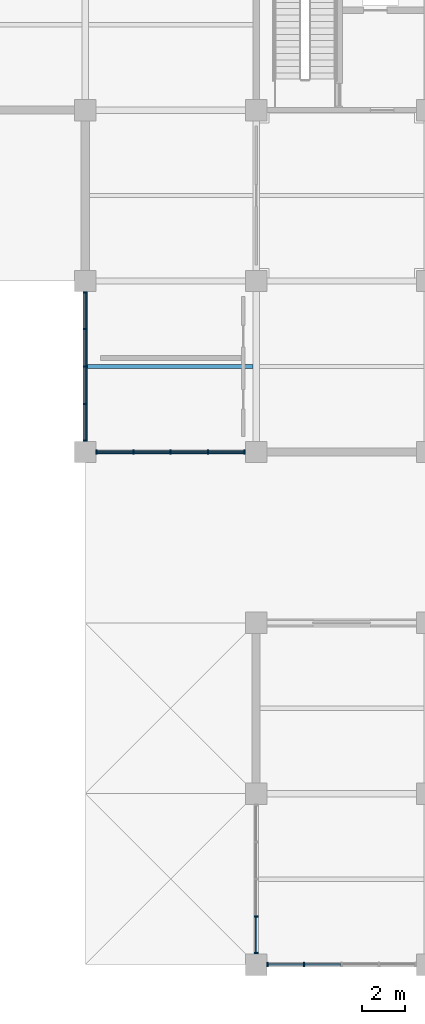
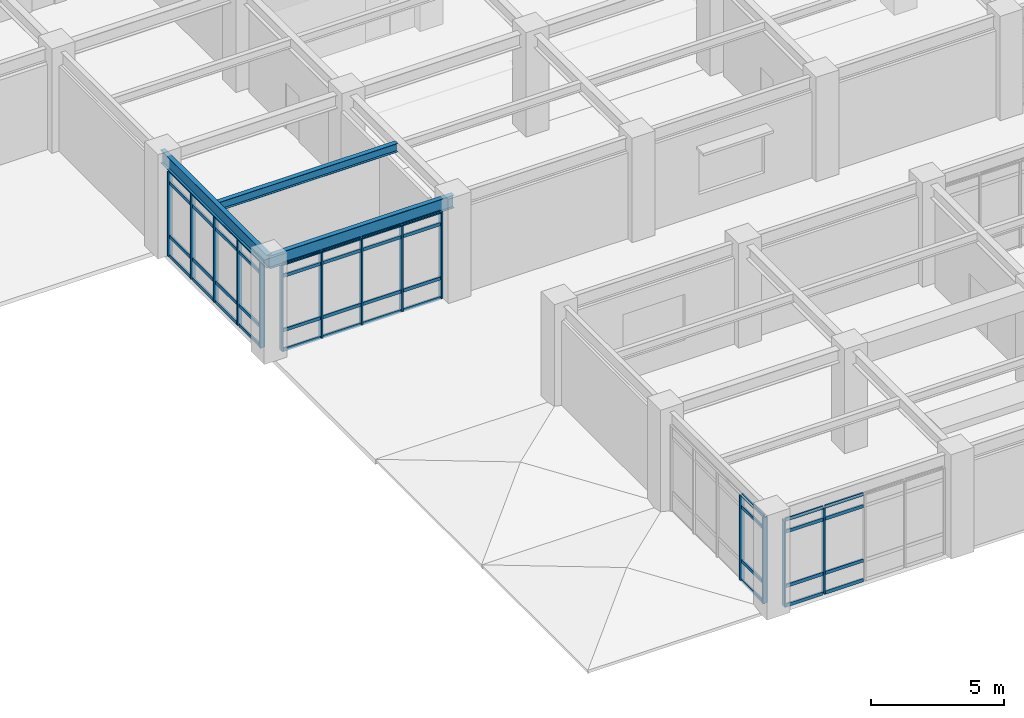
# One storey, part 7 of 117: 58 members, 3 beams, 4 elements without a shape of their own.
"""IFC4 building model written with IfcOpenShell, lengths in metres."""

from ifc_helpers import new_model, si_unit, direction, frame, origin, origin_2d, place, context, subcontext, project, spatial, rectangle, i_section, extrude, material, layer, layer_set, material_profile, profile_set, type_object, element, aggregate, save


model = new_model("IFC4")

# Units and contexts
model_context = context("Model", 3, precision=1e-05, world=origin(), true_north=direction((0.0, 1.0)))
body_context = subcontext(model_context, "Body", "Model", "MODEL_VIEW")
ifc_project = project(units=[si_unit("LENGTHUNIT", "METRE"), si_unit("AREAUNIT", "SQUARE_METRE"), si_unit("VOLUMEUNIT", "CUBIC_METRE"), si_unit("PLANEANGLEUNIT", "RADIAN"), si_unit("MASSUNIT", "GRAM", prefix="KILO")], contexts=[model_context])

# Site, building, storey
site_placement = place(None, origin())
site = spatial("IfcSite", under=ifc_project, at=site_placement, CompositionType="ELEMENT")
building_placement = place(site_placement, origin())
building = spatial("IfcBuilding", under=site, at=building_placement, Name="Haebicheon Civic Stadium", CompositionType="ELEMENT")
storey_placement = place(building_placement, frame((0.0, 0.0, 4.800048828125)))
storey = spatial("IfcBuildingStorey", under=building, at=storey_placement, Name="L02", CompositionType="ELEMENT", Elevation=4.800048828125)

# Curtain wall, members
ifc_material_1 = material(Name="Anodised aluminium and laminated glass", Category="aluminium")
ifc_layer_1 = layer(ifc_material_1, 0.179931640625, Name="Anodised aluminium and laminated glass")
ifc_layer_set_1 = layer_set([ifc_layer_1], Name="Anodised aluminium and laminated glass")
curtain_wall_type_1 = type_object("IfcCurtainWallType", Name="CW-7000x3950", PredefinedType="NOTDEFINED", material=ifc_layer_set_1)
curtain_wall_1_placement = place(storey_placement, origin())
curtain_wall_1 = element("IfcCurtainWall", 1, at=curtain_wall_1_placement, inside=storey, type_object=curtain_wall_type_1, material=ifc_layer_set_1, Name="L02 unitised curtain wall 035", PredefinedType="NOTDEFINED")
ifc_material_2 = material(Name="Anodised aluminium 6063-T6", Category="aluminium")
ifc_material_profile_1 = material_profile(ifc_material_2, rectangle(XDim=0.070068359375, YDim=0.199951171875, at=origin_2d()), Name="ALU-MULL-70x200")
ifc_profile_set_1 = profile_set([ifc_material_profile_1], Name="Anodised aluminium 6063-T6")
member_type_1 = type_object("IfcMemberType", Name="CWM-200x70", PredefinedType="MULLION", material=ifc_profile_set_1)
member_1_placement = place(storey_placement, frame((24.534912109375, 24.0, 0.0), z_axis=(0.0, 0.0, 1.0), x_axis=(1.0, 0.0, 0.0)))
member_1 = element("IfcMember", 2, at=member_1_placement, type_object=member_type_1, material=ifc_profile_set_1, Name="CW-L02-035 vertical mullion 1", PredefinedType="MULLION", context=body_context, shape_type="SweptSolid", body=[
    extrude(rectangle(XDim=0.070068359375, YDim=0.199951171875, at=origin_2d()), origin(), (0.0, 0.0, 1.0), 3.949951171875),
])
member_2_placement = place(storey_placement, frame((26.25, 24.0, 0.0), z_axis=(0.0, 0.0, 1.0), x_axis=(1.0, 0.0, 0.0)))
member_2 = element("IfcMember", 3, at=member_2_placement, type_object=member_type_1, material=ifc_profile_set_1, Name="CW-L02-035 vertical mullion 2", PredefinedType="MULLION", context=body_context, shape_type="SweptSolid", body=[
    extrude(rectangle(XDim=0.070068359375, YDim=0.199951171875, at=origin_2d()), origin(), (0.0, 0.0, 1.0), 3.949951171875),
])
member_3_placement = place(storey_placement, frame((28.0, 24.0, 0.0), z_axis=(0.0, 0.0, 1.0), x_axis=(1.0, 0.0, 0.0)))
member_3 = element("IfcMember", 4, at=member_3_placement, type_object=member_type_1, material=ifc_profile_set_1, Name="CW-L02-035 vertical mullion 3", PredefinedType="MULLION", context=body_context, shape_type="SweptSolid", body=[
    extrude(rectangle(XDim=0.070068359375, YDim=0.199951171875, at=origin_2d()), origin(), (0.0, 0.0, 1.0), 3.949951171875),
])
member_4_placement = place(storey_placement, frame((29.75, 24.0, 0.0), z_axis=(0.0, 0.0, 1.0), x_axis=(1.0, 0.0, 0.0)))
member_4 = element("IfcMember", 5, at=member_4_placement, type_object=member_type_1, material=ifc_profile_set_1, Name="CW-L02-035 vertical mullion 4", PredefinedType="MULLION", context=body_context, shape_type="SweptSolid", body=[
    extrude(rectangle(XDim=0.070068359375, YDim=0.199951171875, at=origin_2d()), origin(), (0.0, 0.0, 1.0), 3.949951171875),
])
member_5_placement = place(storey_placement, frame((31.465087890625, 24.0, 0.0), z_axis=(0.0, 0.0, 1.0), x_axis=(1.0, 0.0, 0.0)))
member_5 = element("IfcMember", 6, at=member_5_placement, type_object=member_type_1, material=ifc_profile_set_1, Name="CW-L02-035 vertical mullion 5", PredefinedType="MULLION", context=body_context, shape_type="SweptSolid", body=[
    extrude(rectangle(XDim=0.070068359375, YDim=0.199951171875, at=origin_2d()), origin(), (0.0, 0.0, 1.0), 3.949951171875),
])

ifc_material_3 = material(Name="Anodised aluminium and laminated glass", Category="aluminium")
ifc_layer_2 = layer(ifc_material_3, 0.179931640625, Name="Anodised aluminium and laminated glass")
ifc_layer_set_2 = layer_set([ifc_layer_2], Name="Anodised aluminium and laminated glass")
curtain_wall_type_2 = type_object("IfcCurtainWallType", Name="CW-7000x3910", PredefinedType="NOTDEFINED", material=ifc_layer_set_2)
curtain_wall_2_placement = place(storey_placement, origin())
curtain_wall_2 = element("IfcCurtainWall", 7, at=curtain_wall_2_placement, inside=storey, type_object=curtain_wall_type_2, material=ifc_layer_set_2, Name="L02 unitised curtain wall 036", PredefinedType="NOTDEFINED")
member_6_placement = place(storey_placement, frame((24.0, 24.534912109375, 0.0), z_axis=(0.0, 0.0, 1.0), x_axis=(0.0, 1.0, 0.0)))
member_6 = element("IfcMember", 8, at=member_6_placement, type_object=member_type_1, material=ifc_profile_set_1, Name="CW-L02-036 vertical mullion 1", PredefinedType="MULLION", context=body_context, shape_type="SweptSolid", body=[
    extrude(rectangle(XDim=0.070068359375, YDim=0.199951171875, at=origin_2d()), origin(), (0.0, 0.0, 1.0), 3.909912109375),
])
member_7_placement = place(storey_placement, frame((24.0, 26.25, 0.0), z_axis=(0.0, 0.0, 1.0), x_axis=(0.0, 1.0, 0.0)))
member_7 = element("IfcMember", 9, at=member_7_placement, type_object=member_type_1, material=ifc_profile_set_1, Name="CW-L02-036 vertical mullion 2", PredefinedType="MULLION", context=body_context, shape_type="SweptSolid", body=[
    extrude(rectangle(XDim=0.070068359375, YDim=0.199951171875, at=origin_2d()), origin(), (0.0, 0.0, 1.0), 3.909912109375),
])
member_8_placement = place(storey_placement, frame((24.0, 28.0, 0.0), z_axis=(0.0, 0.0, 1.0), x_axis=(0.0, 1.0, 0.0)))
member_8 = element("IfcMember", 10, at=member_8_placement, type_object=member_type_1, material=ifc_profile_set_1, Name="CW-L02-036 vertical mullion 3", PredefinedType="MULLION", context=body_context, shape_type="SweptSolid", body=[
    extrude(rectangle(XDim=0.070068359375, YDim=0.199951171875, at=origin_2d()), origin(), (0.0, 0.0, 1.0), 3.909912109375),
])
member_9_placement = place(storey_placement, frame((24.0, 29.75, 0.0), z_axis=(0.0, 0.0, 1.0), x_axis=(0.0, 1.0, 0.0)))
member_9 = element("IfcMember", 11, at=member_9_placement, type_object=member_type_1, material=ifc_profile_set_1, Name="CW-L02-036 vertical mullion 4", PredefinedType="MULLION", context=body_context, shape_type="SweptSolid", body=[
    extrude(rectangle(XDim=0.070068359375, YDim=0.199951171875, at=origin_2d()), origin(), (0.0, 0.0, 1.0), 3.909912109375),
])
member_10_placement = place(storey_placement, frame((24.0, 31.465087890625, 0.0), z_axis=(0.0, 0.0, 1.0), x_axis=(0.0, 1.0, 0.0)))
member_10 = element("IfcMember", 12, at=member_10_placement, type_object=member_type_1, material=ifc_profile_set_1, Name="CW-L02-036 vertical mullion 5", PredefinedType="MULLION", context=body_context, shape_type="SweptSolid", body=[
    extrude(rectangle(XDim=0.070068359375, YDim=0.199951171875, at=origin_2d()), origin(), (0.0, 0.0, 1.0), 3.909912109375),
])

curtain_wall_3_placement = place(storey_placement, origin())
curtain_wall_3 = element("IfcCurtainWall", 13, at=curtain_wall_3_placement, inside=storey, type_object=curtain_wall_type_1, material=ifc_layer_set_1, Name="L02 unitised curtain wall 038", PredefinedType="NOTDEFINED")
member_11_placement = place(storey_placement, frame((32.534912109375, 0.0, 0.0), z_axis=(0.0, 0.0, 1.0), x_axis=(1.0, 0.0, 0.0)))
member_11 = element("IfcMember", 14, at=member_11_placement, type_object=member_type_1, material=ifc_profile_set_1, Name="CW-L02-038 vertical mullion 1", PredefinedType="MULLION", context=body_context, shape_type="SweptSolid", body=[
    extrude(rectangle(XDim=0.070068359375, YDim=0.199951171875, at=origin_2d()), origin(), (0.0, 0.0, 1.0), 3.949951171875),
])
member_12_placement = place(storey_placement, frame((34.25, 0.0, 0.0), z_axis=(0.0, 0.0, 1.0), x_axis=(1.0, 0.0, 0.0)))
member_12 = element("IfcMember", 15, at=member_12_placement, type_object=member_type_1, material=ifc_profile_set_1, Name="CW-L02-038 vertical mullion 2", PredefinedType="MULLION", context=body_context, shape_type="SweptSolid", body=[
    extrude(rectangle(XDim=0.070068359375, YDim=0.199951171875, at=origin_2d()), origin(), (0.0, 0.0, 1.0), 3.949951171875),
])

curtain_wall_4_placement = place(storey_placement, origin())
curtain_wall_4 = element("IfcCurtainWall", 16, at=curtain_wall_4_placement, inside=storey, type_object=curtain_wall_type_1, material=ifc_layer_set_1, Name="L02 unitised curtain wall 039", PredefinedType="NOTDEFINED")
member_13_placement = place(storey_placement, frame((32.0, 0.534912109375, 0.0), z_axis=(0.0, 0.0, 1.0), x_axis=(0.0, 1.0, 0.0)))
member_13 = element("IfcMember", 17, at=member_13_placement, type_object=member_type_1, material=ifc_profile_set_1, Name="CW-L02-039 vertical mullion 1", PredefinedType="MULLION", context=body_context, shape_type="SweptSolid", body=[
    extrude(rectangle(XDim=0.070068359375, YDim=0.199951171875, at=origin_2d()), origin(), (0.0, 0.0, 1.0), 3.949951171875),
])
member_14_placement = place(storey_placement, frame((32.0, 2.25, 0.0), z_axis=(0.0, 0.0, 1.0), x_axis=(0.0, 1.0, 0.0)))
member_14 = element("IfcMember", 18, at=member_14_placement, type_object=member_type_1, material=ifc_profile_set_1, Name="CW-L02-039 vertical mullion 2", PredefinedType="MULLION", context=body_context, shape_type="SweptSolid", body=[
    extrude(rectangle(XDim=0.070068359375, YDim=0.199951171875, at=origin_2d()), origin(), (0.0, 0.0, 1.0), 3.949951171875),
])

# Member
ifc_material_4 = material(Name="Anodised aluminium 6063-T6", Category="aluminium")
ifc_material_profile_2 = material_profile(ifc_material_4, rectangle(XDim=0.070068359375, YDim=0.14990234375, at=origin_2d()), Name="ALU-TRAN-70x150")
ifc_profile_set_2 = profile_set([ifc_material_profile_2], Name="Anodised aluminium 6063-T6")
member_type_2 = type_object("IfcMemberType", Name="CWT-150x70", PredefinedType="NOTDEFINED", material=ifc_profile_set_2)
member_15_placement = place(storey_placement, frame((24.570068359375, 24.0, 0.0), z_axis=(1.0, 0.0, 0.0), x_axis=(0.0, 1.0, 0.0)))
member_15 = element("IfcMember", 19, at=member_15_placement, type_object=member_type_2, material=ifc_profile_set_2, Name="CW-L02-035 horizontal transom 1.1", ObjectType="TRANSOM", PredefinedType="USERDEFINED", context=body_context, shape_type="SweptSolid", body=[
    extrude(rectangle(XDim=0.070068359375, YDim=0.14990234375, at=origin_2d()), origin(), (0.0, 0.0, 1.0), 1.64501953125),
])

member_16_placement = place(storey_placement, frame((24.570068359375, 24.0, 0.89990234375), z_axis=(1.0, 0.0, 0.0), x_axis=(0.0, 1.0, 0.0)))
member_16 = element("IfcMember", 20, at=member_16_placement, type_object=member_type_2, material=ifc_profile_set_2, Name="CW-L02-035 horizontal transom 1.2", ObjectType="TRANSOM", PredefinedType="USERDEFINED", context=body_context, shape_type="SweptSolid", body=[
    extrude(rectangle(XDim=0.070068359375, YDim=0.14990234375, at=origin_2d()), origin(), (0.0, 0.0, 1.0), 1.64501953125),
])

member_17_placement = place(storey_placement, frame((24.570068359375, 24.0, 3.39990234375), z_axis=(1.0, 0.0, 0.0), x_axis=(0.0, 1.0, 0.0)))
member_17 = element("IfcMember", 21, at=member_17_placement, type_object=member_type_2, material=ifc_profile_set_2, Name="CW-L02-035 horizontal transom 1.3", ObjectType="TRANSOM", PredefinedType="USERDEFINED", context=body_context, shape_type="SweptSolid", body=[
    extrude(rectangle(XDim=0.070068359375, YDim=0.14990234375, at=origin_2d()), origin(), (0.0, 0.0, 1.0), 1.64501953125),
])

member_18_placement = place(storey_placement, frame((24.570068359375, 24.0, 3.949951171875), z_axis=(1.0, 0.0, 0.0), x_axis=(0.0, 1.0, 0.0)))
member_18 = element("IfcMember", 22, at=member_18_placement, type_object=member_type_2, material=ifc_profile_set_2, Name="CW-L02-035 horizontal transom 1.4", ObjectType="TRANSOM", PredefinedType="USERDEFINED", context=body_context, shape_type="SweptSolid", body=[
    extrude(rectangle(XDim=0.070068359375, YDim=0.14990234375, at=origin_2d()), origin(), (0.0, 0.0, 1.0), 1.64501953125),
])

member_19_placement = place(storey_placement, frame((26.284912109375, 24.0, 0.0), z_axis=(1.0, 0.0, 0.0), x_axis=(0.0, 1.0, 0.0)))
member_19 = element("IfcMember", 23, at=member_19_placement, type_object=member_type_2, material=ifc_profile_set_2, Name="CW-L02-035 horizontal transom 2.1", ObjectType="TRANSOM", PredefinedType="USERDEFINED", context=body_context, shape_type="SweptSolid", body=[
    extrude(rectangle(XDim=0.070068359375, YDim=0.14990234375, at=origin_2d()), origin(), (0.0, 0.0, 1.0), 1.68017578125),
])

member_20_placement = place(storey_placement, frame((26.284912109375, 24.0, 0.89990234375), z_axis=(1.0, 0.0, 0.0), x_axis=(0.0, 1.0, 0.0)))
member_20 = element("IfcMember", 24, at=member_20_placement, type_object=member_type_2, material=ifc_profile_set_2, Name="CW-L02-035 horizontal transom 2.2", ObjectType="TRANSOM", PredefinedType="USERDEFINED", context=body_context, shape_type="SweptSolid", body=[
    extrude(rectangle(XDim=0.070068359375, YDim=0.14990234375, at=origin_2d()), origin(), (0.0, 0.0, 1.0), 1.68017578125),
])

member_21_placement = place(storey_placement, frame((26.284912109375, 24.0, 3.39990234375), z_axis=(1.0, 0.0, 0.0), x_axis=(0.0, 1.0, 0.0)))
member_21 = element("IfcMember", 25, at=member_21_placement, type_object=member_type_2, material=ifc_profile_set_2, Name="CW-L02-035 horizontal transom 2.3", ObjectType="TRANSOM", PredefinedType="USERDEFINED", context=body_context, shape_type="SweptSolid", body=[
    extrude(rectangle(XDim=0.070068359375, YDim=0.14990234375, at=origin_2d()), origin(), (0.0, 0.0, 1.0), 1.68017578125),
])

member_22_placement = place(storey_placement, frame((26.284912109375, 24.0, 3.949951171875), z_axis=(1.0, 0.0, 0.0), x_axis=(0.0, 1.0, 0.0)))
member_22 = element("IfcMember", 26, at=member_22_placement, type_object=member_type_2, material=ifc_profile_set_2, Name="CW-L02-035 horizontal transom 2.4", ObjectType="TRANSOM", PredefinedType="USERDEFINED", context=body_context, shape_type="SweptSolid", body=[
    extrude(rectangle(XDim=0.070068359375, YDim=0.14990234375, at=origin_2d()), origin(), (0.0, 0.0, 1.0), 1.68017578125),
])

member_23_placement = place(storey_placement, frame((28.034912109375, 24.0, 0.0), z_axis=(1.0, 0.0, 0.0), x_axis=(0.0, 1.0, 0.0)))
member_23 = element("IfcMember", 27, at=member_23_placement, type_object=member_type_2, material=ifc_profile_set_2, Name="CW-L02-035 horizontal transom 3.1", ObjectType="TRANSOM", PredefinedType="USERDEFINED", context=body_context, shape_type="SweptSolid", body=[
    extrude(rectangle(XDim=0.070068359375, YDim=0.14990234375, at=origin_2d()), origin(), (0.0, 0.0, 1.0), 1.68017578125),
])

member_24_placement = place(storey_placement, frame((28.034912109375, 24.0, 0.89990234375), z_axis=(1.0, 0.0, 0.0), x_axis=(0.0, 1.0, 0.0)))
member_24 = element("IfcMember", 28, at=member_24_placement, type_object=member_type_2, material=ifc_profile_set_2, Name="CW-L02-035 horizontal transom 3.2", ObjectType="TRANSOM", PredefinedType="USERDEFINED", context=body_context, shape_type="SweptSolid", body=[
    extrude(rectangle(XDim=0.070068359375, YDim=0.14990234375, at=origin_2d()), origin(), (0.0, 0.0, 1.0), 1.68017578125),
])

member_25_placement = place(storey_placement, frame((28.034912109375, 24.0, 3.39990234375), z_axis=(1.0, 0.0, 0.0), x_axis=(0.0, 1.0, 0.0)))
member_25 = element("IfcMember", 29, at=member_25_placement, type_object=member_type_2, material=ifc_profile_set_2, Name="CW-L02-035 horizontal transom 3.3", ObjectType="TRANSOM", PredefinedType="USERDEFINED", context=body_context, shape_type="SweptSolid", body=[
    extrude(rectangle(XDim=0.070068359375, YDim=0.14990234375, at=origin_2d()), origin(), (0.0, 0.0, 1.0), 1.68017578125),
])

member_26_placement = place(storey_placement, frame((28.034912109375, 24.0, 3.949951171875), z_axis=(1.0, 0.0, 0.0), x_axis=(0.0, 1.0, 0.0)))
member_26 = element("IfcMember", 30, at=member_26_placement, type_object=member_type_2, material=ifc_profile_set_2, Name="CW-L02-035 horizontal transom 3.4", ObjectType="TRANSOM", PredefinedType="USERDEFINED", context=body_context, shape_type="SweptSolid", body=[
    extrude(rectangle(XDim=0.070068359375, YDim=0.14990234375, at=origin_2d()), origin(), (0.0, 0.0, 1.0), 1.68017578125),
])

member_27_placement = place(storey_placement, frame((29.784912109375, 24.0, 0.0), z_axis=(1.0, 0.0, 0.0), x_axis=(0.0, 1.0, 0.0)))
member_27 = element("IfcMember", 31, at=member_27_placement, type_object=member_type_2, material=ifc_profile_set_2, Name="CW-L02-035 horizontal transom 4.1", ObjectType="TRANSOM", PredefinedType="USERDEFINED", context=body_context, shape_type="SweptSolid", body=[
    extrude(rectangle(XDim=0.070068359375, YDim=0.14990234375, at=origin_2d()), origin(), (0.0, 0.0, 1.0), 1.64501953125),
])

member_28_placement = place(storey_placement, frame((29.784912109375, 24.0, 0.89990234375), z_axis=(1.0, 0.0, 0.0), x_axis=(0.0, 1.0, 0.0)))
member_28 = element("IfcMember", 32, at=member_28_placement, type_object=member_type_2, material=ifc_profile_set_2, Name="CW-L02-035 horizontal transom 4.2", ObjectType="TRANSOM", PredefinedType="USERDEFINED", context=body_context, shape_type="SweptSolid", body=[
    extrude(rectangle(XDim=0.070068359375, YDim=0.14990234375, at=origin_2d()), origin(), (0.0, 0.0, 1.0), 1.64501953125),
])

member_29_placement = place(storey_placement, frame((29.784912109375, 24.0, 3.39990234375), z_axis=(1.0, 0.0, 0.0), x_axis=(0.0, 1.0, 0.0)))
member_29 = element("IfcMember", 33, at=member_29_placement, type_object=member_type_2, material=ifc_profile_set_2, Name="CW-L02-035 horizontal transom 4.3", ObjectType="TRANSOM", PredefinedType="USERDEFINED", context=body_context, shape_type="SweptSolid", body=[
    extrude(rectangle(XDim=0.070068359375, YDim=0.14990234375, at=origin_2d()), origin(), (0.0, 0.0, 1.0), 1.64501953125),
])

member_30_placement = place(storey_placement, frame((29.784912109375, 24.0, 3.949951171875), z_axis=(1.0, 0.0, 0.0), x_axis=(0.0, 1.0, 0.0)))
member_30 = element("IfcMember", 34, at=member_30_placement, type_object=member_type_2, material=ifc_profile_set_2, Name="CW-L02-035 horizontal transom 4.4", ObjectType="TRANSOM", PredefinedType="USERDEFINED", context=body_context, shape_type="SweptSolid", body=[
    extrude(rectangle(XDim=0.070068359375, YDim=0.14990234375, at=origin_2d()), origin(), (0.0, 0.0, 1.0), 1.64501953125),
])

aggregate(curtain_wall_1, [member_1, member_2, member_3, member_4, member_5, member_15, member_16, member_17, member_18, member_19, member_20, member_21, member_22, member_23, member_24, member_25, member_26, member_27, member_28, member_29, member_30])

member_31_placement = place(storey_placement, frame((24.0, 24.570068359375, 0.0), z_axis=(0.0, 1.0, 0.0), x_axis=(-1.0, 0.0, 0.0)))
member_31 = element("IfcMember", 35, at=member_31_placement, type_object=member_type_2, material=ifc_profile_set_2, Name="CW-L02-036 horizontal transom 1.1", ObjectType="TRANSOM", PredefinedType="USERDEFINED", context=body_context, shape_type="SweptSolid", body=[
    extrude(rectangle(XDim=0.070068359375, YDim=0.14990234375, at=origin_2d()), origin(), (0.0, 0.0, 1.0), 1.64501953125),
])

member_32_placement = place(storey_placement, frame((24.0, 24.570068359375, 0.89990234375), z_axis=(0.0, 1.0, 0.0), x_axis=(-1.0, 0.0, 0.0)))
member_32 = element("IfcMember", 36, at=member_32_placement, type_object=member_type_2, material=ifc_profile_set_2, Name="CW-L02-036 horizontal transom 1.2", ObjectType="TRANSOM", PredefinedType="USERDEFINED", context=body_context, shape_type="SweptSolid", body=[
    extrude(rectangle(XDim=0.070068359375, YDim=0.14990234375, at=origin_2d()), origin(), (0.0, 0.0, 1.0), 1.64501953125),
])

member_33_placement = place(storey_placement, frame((24.0, 24.570068359375, 3.35986328125), z_axis=(0.0, 1.0, 0.0), x_axis=(-1.0, 0.0, 0.0)))
member_33 = element("IfcMember", 37, at=member_33_placement, type_object=member_type_2, material=ifc_profile_set_2, Name="CW-L02-036 horizontal transom 1.3", ObjectType="TRANSOM", PredefinedType="USERDEFINED", context=body_context, shape_type="SweptSolid", body=[
    extrude(rectangle(XDim=0.070068359375, YDim=0.14990234375, at=origin_2d()), origin(), (0.0, 0.0, 1.0), 1.64501953125),
])

member_34_placement = place(storey_placement, frame((24.0, 24.570068359375, 3.909912109375), z_axis=(0.0, 1.0, 0.0), x_axis=(-1.0, 0.0, 0.0)))
member_34 = element("IfcMember", 38, at=member_34_placement, type_object=member_type_2, material=ifc_profile_set_2, Name="CW-L02-036 horizontal transom 1.4", ObjectType="TRANSOM", PredefinedType="USERDEFINED", context=body_context, shape_type="SweptSolid", body=[
    extrude(rectangle(XDim=0.070068359375, YDim=0.14990234375, at=origin_2d()), origin(), (0.0, 0.0, 1.0), 1.64501953125),
])

member_35_placement = place(storey_placement, frame((24.0, 26.284912109375, 0.0), z_axis=(0.0, 1.0, 0.0), x_axis=(-1.0, 0.0, 0.0)))
member_35 = element("IfcMember", 39, at=member_35_placement, type_object=member_type_2, material=ifc_profile_set_2, Name="CW-L02-036 horizontal transom 2.1", ObjectType="TRANSOM", PredefinedType="USERDEFINED", context=body_context, shape_type="SweptSolid", body=[
    extrude(rectangle(XDim=0.070068359375, YDim=0.14990234375, at=origin_2d()), origin(), (0.0, 0.0, 1.0), 1.68017578125),
])

member_36_placement = place(storey_placement, frame((24.0, 26.284912109375, 0.89990234375), z_axis=(0.0, 1.0, 0.0), x_axis=(-1.0, 0.0, 0.0)))
member_36 = element("IfcMember", 40, at=member_36_placement, type_object=member_type_2, material=ifc_profile_set_2, Name="CW-L02-036 horizontal transom 2.2", ObjectType="TRANSOM", PredefinedType="USERDEFINED", context=body_context, shape_type="SweptSolid", body=[
    extrude(rectangle(XDim=0.070068359375, YDim=0.14990234375, at=origin_2d()), origin(), (0.0, 0.0, 1.0), 1.68017578125),
])

member_37_placement = place(storey_placement, frame((24.0, 26.284912109375, 3.35986328125), z_axis=(0.0, 1.0, 0.0), x_axis=(-1.0, 0.0, 0.0)))
member_37 = element("IfcMember", 41, at=member_37_placement, type_object=member_type_2, material=ifc_profile_set_2, Name="CW-L02-036 horizontal transom 2.3", ObjectType="TRANSOM", PredefinedType="USERDEFINED", context=body_context, shape_type="SweptSolid", body=[
    extrude(rectangle(XDim=0.070068359375, YDim=0.14990234375, at=origin_2d()), origin(), (0.0, 0.0, 1.0), 1.68017578125),
])

member_38_placement = place(storey_placement, frame((24.0, 26.284912109375, 3.909912109375), z_axis=(0.0, 1.0, 0.0), x_axis=(-1.0, 0.0, 0.0)))
member_38 = element("IfcMember", 42, at=member_38_placement, type_object=member_type_2, material=ifc_profile_set_2, Name="CW-L02-036 horizontal transom 2.4", ObjectType="TRANSOM", PredefinedType="USERDEFINED", context=body_context, shape_type="SweptSolid", body=[
    extrude(rectangle(XDim=0.070068359375, YDim=0.14990234375, at=origin_2d()), origin(), (0.0, 0.0, 1.0), 1.68017578125),
])

member_39_placement = place(storey_placement, frame((24.0, 28.034912109375, 0.0), z_axis=(0.0, 1.0, 0.0), x_axis=(-1.0, 0.0, 0.0)))
member_39 = element("IfcMember", 43, at=member_39_placement, type_object=member_type_2, material=ifc_profile_set_2, Name="CW-L02-036 horizontal transom 3.1", ObjectType="TRANSOM", PredefinedType="USERDEFINED", context=body_context, shape_type="SweptSolid", body=[
    extrude(rectangle(XDim=0.070068359375, YDim=0.14990234375, at=origin_2d()), origin(), (0.0, 0.0, 1.0), 1.68017578125),
])

member_40_placement = place(storey_placement, frame((24.0, 28.034912109375, 0.89990234375), z_axis=(0.0, 1.0, 0.0), x_axis=(-1.0, 0.0, 0.0)))
member_40 = element("IfcMember", 44, at=member_40_placement, type_object=member_type_2, material=ifc_profile_set_2, Name="CW-L02-036 horizontal transom 3.2", ObjectType="TRANSOM", PredefinedType="USERDEFINED", context=body_context, shape_type="SweptSolid", body=[
    extrude(rectangle(XDim=0.070068359375, YDim=0.14990234375, at=origin_2d()), origin(), (0.0, 0.0, 1.0), 1.68017578125),
])

member_41_placement = place(storey_placement, frame((24.0, 28.034912109375, 3.35986328125), z_axis=(0.0, 1.0, 0.0), x_axis=(-1.0, 0.0, 0.0)))
member_41 = element("IfcMember", 45, at=member_41_placement, type_object=member_type_2, material=ifc_profile_set_2, Name="CW-L02-036 horizontal transom 3.3", ObjectType="TRANSOM", PredefinedType="USERDEFINED", context=body_context, shape_type="SweptSolid", body=[
    extrude(rectangle(XDim=0.070068359375, YDim=0.14990234375, at=origin_2d()), origin(), (0.0, 0.0, 1.0), 1.68017578125),
])

member_42_placement = place(storey_placement, frame((24.0, 28.034912109375, 3.909912109375), z_axis=(0.0, 1.0, 0.0), x_axis=(-1.0, 0.0, 0.0)))
member_42 = element("IfcMember", 46, at=member_42_placement, type_object=member_type_2, material=ifc_profile_set_2, Name="CW-L02-036 horizontal transom 3.4", ObjectType="TRANSOM", PredefinedType="USERDEFINED", context=body_context, shape_type="SweptSolid", body=[
    extrude(rectangle(XDim=0.070068359375, YDim=0.14990234375, at=origin_2d()), origin(), (0.0, 0.0, 1.0), 1.68017578125),
])

member_43_placement = place(storey_placement, frame((24.0, 29.784912109375, 0.0), z_axis=(0.0, 1.0, 0.0), x_axis=(-1.0, 0.0, 0.0)))
member_43 = element("IfcMember", 47, at=member_43_placement, type_object=member_type_2, material=ifc_profile_set_2, Name="CW-L02-036 horizontal transom 4.1", ObjectType="TRANSOM", PredefinedType="USERDEFINED", context=body_context, shape_type="SweptSolid", body=[
    extrude(rectangle(XDim=0.070068359375, YDim=0.14990234375, at=origin_2d()), origin(), (0.0, 0.0, 1.0), 1.64501953125),
])

member_44_placement = place(storey_placement, frame((24.0, 29.784912109375, 0.89990234375), z_axis=(0.0, 1.0, 0.0), x_axis=(-1.0, 0.0, 0.0)))
member_44 = element("IfcMember", 48, at=member_44_placement, type_object=member_type_2, material=ifc_profile_set_2, Name="CW-L02-036 horizontal transom 4.2", ObjectType="TRANSOM", PredefinedType="USERDEFINED", context=body_context, shape_type="SweptSolid", body=[
    extrude(rectangle(XDim=0.070068359375, YDim=0.14990234375, at=origin_2d()), origin(), (0.0, 0.0, 1.0), 1.64501953125),
])

member_45_placement = place(storey_placement, frame((24.0, 29.784912109375, 3.35986328125), z_axis=(0.0, 1.0, 0.0), x_axis=(-1.0, 0.0, 0.0)))
member_45 = element("IfcMember", 49, at=member_45_placement, type_object=member_type_2, material=ifc_profile_set_2, Name="CW-L02-036 horizontal transom 4.3", ObjectType="TRANSOM", PredefinedType="USERDEFINED", context=body_context, shape_type="SweptSolid", body=[
    extrude(rectangle(XDim=0.070068359375, YDim=0.14990234375, at=origin_2d()), origin(), (0.0, 0.0, 1.0), 1.64501953125),
])

member_46_placement = place(storey_placement, frame((24.0, 29.784912109375, 3.909912109375), z_axis=(0.0, 1.0, 0.0), x_axis=(-1.0, 0.0, 0.0)))
member_46 = element("IfcMember", 50, at=member_46_placement, type_object=member_type_2, material=ifc_profile_set_2, Name="CW-L02-036 horizontal transom 4.4", ObjectType="TRANSOM", PredefinedType="USERDEFINED", context=body_context, shape_type="SweptSolid", body=[
    extrude(rectangle(XDim=0.070068359375, YDim=0.14990234375, at=origin_2d()), origin(), (0.0, 0.0, 1.0), 1.64501953125),
])

aggregate(curtain_wall_2, [member_6, member_7, member_8, member_9, member_10, member_31, member_32, member_33, member_34, member_35, member_36, member_37, member_38, member_39, member_40, member_41, member_42, member_43, member_44, member_45, member_46])

member_47_placement = place(storey_placement, frame((32.570068359375, 0.0, 0.0), z_axis=(1.0, 0.0, 0.0), x_axis=(0.0, 1.0, 0.0)))
member_47 = element("IfcMember", 51, at=member_47_placement, type_object=member_type_2, material=ifc_profile_set_2, Name="CW-L02-038 horizontal transom 1.1", ObjectType="TRANSOM", PredefinedType="USERDEFINED", context=body_context, shape_type="SweptSolid", body=[
    extrude(rectangle(XDim=0.070068359375, YDim=0.14990234375, at=origin_2d()), origin(), (0.0, 0.0, 1.0), 1.64501953125),
])

member_48_placement = place(storey_placement, frame((32.570068359375, 0.0, 0.89990234375), z_axis=(1.0, 0.0, 0.0), x_axis=(0.0, 1.0, 0.0)))
member_48 = element("IfcMember", 52, at=member_48_placement, type_object=member_type_2, material=ifc_profile_set_2, Name="CW-L02-038 horizontal transom 1.2", ObjectType="TRANSOM", PredefinedType="USERDEFINED", context=body_context, shape_type="SweptSolid", body=[
    extrude(rectangle(XDim=0.070068359375, YDim=0.14990234375, at=origin_2d()), origin(), (0.0, 0.0, 1.0), 1.64501953125),
])

member_49_placement = place(storey_placement, frame((32.570068359375, 0.0, 3.39990234375), z_axis=(1.0, 0.0, 0.0), x_axis=(0.0, 1.0, 0.0)))
member_49 = element("IfcMember", 53, at=member_49_placement, type_object=member_type_2, material=ifc_profile_set_2, Name="CW-L02-038 horizontal transom 1.3", ObjectType="TRANSOM", PredefinedType="USERDEFINED", context=body_context, shape_type="SweptSolid", body=[
    extrude(rectangle(XDim=0.070068359375, YDim=0.14990234375, at=origin_2d()), origin(), (0.0, 0.0, 1.0), 1.64501953125),
])

member_50_placement = place(storey_placement, frame((32.570068359375, 0.0, 3.949951171875), z_axis=(1.0, 0.0, 0.0), x_axis=(0.0, 1.0, 0.0)))
member_50 = element("IfcMember", 54, at=member_50_placement, type_object=member_type_2, material=ifc_profile_set_2, Name="CW-L02-038 horizontal transom 1.4", ObjectType="TRANSOM", PredefinedType="USERDEFINED", context=body_context, shape_type="SweptSolid", body=[
    extrude(rectangle(XDim=0.070068359375, YDim=0.14990234375, at=origin_2d()), origin(), (0.0, 0.0, 1.0), 1.64501953125),
])

member_51_placement = place(storey_placement, frame((34.284912109375, 0.0, 0.0), z_axis=(1.0, 0.0, 0.0), x_axis=(0.0, 1.0, 0.0)))
member_51 = element("IfcMember", 55, at=member_51_placement, type_object=member_type_2, material=ifc_profile_set_2, Name="CW-L02-038 horizontal transom 2.1", ObjectType="TRANSOM", PredefinedType="USERDEFINED", context=body_context, shape_type="SweptSolid", body=[
    extrude(rectangle(XDim=0.070068359375, YDim=0.14990234375, at=origin_2d()), origin(), (0.0, 0.0, 1.0), 1.68017578125),
])

member_52_placement = place(storey_placement, frame((34.284912109375, 0.0, 0.89990234375), z_axis=(1.0, 0.0, 0.0), x_axis=(0.0, 1.0, 0.0)))
member_52 = element("IfcMember", 56, at=member_52_placement, type_object=member_type_2, material=ifc_profile_set_2, Name="CW-L02-038 horizontal transom 2.2", ObjectType="TRANSOM", PredefinedType="USERDEFINED", context=body_context, shape_type="SweptSolid", body=[
    extrude(rectangle(XDim=0.070068359375, YDim=0.14990234375, at=origin_2d()), origin(), (0.0, 0.0, 1.0), 1.68017578125),
])

member_53_placement = place(storey_placement, frame((34.284912109375, 0.0, 3.39990234375), z_axis=(1.0, 0.0, 0.0), x_axis=(0.0, 1.0, 0.0)))
member_53 = element("IfcMember", 57, at=member_53_placement, type_object=member_type_2, material=ifc_profile_set_2, Name="CW-L02-038 horizontal transom 2.3", ObjectType="TRANSOM", PredefinedType="USERDEFINED", context=body_context, shape_type="SweptSolid", body=[
    extrude(rectangle(XDim=0.070068359375, YDim=0.14990234375, at=origin_2d()), origin(), (0.0, 0.0, 1.0), 1.68017578125),
])

member_54_placement = place(storey_placement, frame((34.284912109375, 0.0, 3.949951171875), z_axis=(1.0, 0.0, 0.0), x_axis=(0.0, 1.0, 0.0)))
member_54 = element("IfcMember", 58, at=member_54_placement, type_object=member_type_2, material=ifc_profile_set_2, Name="CW-L02-038 horizontal transom 2.4", ObjectType="TRANSOM", PredefinedType="USERDEFINED", context=body_context, shape_type="SweptSolid", body=[
    extrude(rectangle(XDim=0.070068359375, YDim=0.14990234375, at=origin_2d()), origin(), (0.0, 0.0, 1.0), 1.68017578125),
])

aggregate(curtain_wall_3, [member_11, member_12, member_47, member_48, member_49, member_50, member_51, member_52, member_53, member_54])

member_55_placement = place(storey_placement, frame((32.0, 0.570068359375, 0.0), z_axis=(0.0, 1.0, 0.0), x_axis=(-1.0, 0.0, 0.0)))
member_55 = element("IfcMember", 59, at=member_55_placement, type_object=member_type_2, material=ifc_profile_set_2, Name="CW-L02-039 horizontal transom 1.1", ObjectType="TRANSOM", PredefinedType="USERDEFINED", context=body_context, shape_type="SweptSolid", body=[
    extrude(rectangle(XDim=0.070068359375, YDim=0.14990234375, at=origin_2d()), origin(), (0.0, 0.0, 1.0), 1.64501953125),
])

member_56_placement = place(storey_placement, frame((32.0, 0.570068359375, 0.89990234375), z_axis=(0.0, 1.0, 0.0), x_axis=(-1.0, 0.0, 0.0)))
member_56 = element("IfcMember", 60, at=member_56_placement, type_object=member_type_2, material=ifc_profile_set_2, Name="CW-L02-039 horizontal transom 1.2", ObjectType="TRANSOM", PredefinedType="USERDEFINED", context=body_context, shape_type="SweptSolid", body=[
    extrude(rectangle(XDim=0.070068359375, YDim=0.14990234375, at=origin_2d()), origin(), (0.0, 0.0, 1.0), 1.64501953125),
])

member_57_placement = place(storey_placement, frame((32.0, 0.570068359375, 3.39990234375), z_axis=(0.0, 1.0, 0.0), x_axis=(-1.0, 0.0, 0.0)))
member_57 = element("IfcMember", 61, at=member_57_placement, type_object=member_type_2, material=ifc_profile_set_2, Name="CW-L02-039 horizontal transom 1.3", ObjectType="TRANSOM", PredefinedType="USERDEFINED", context=body_context, shape_type="SweptSolid", body=[
    extrude(rectangle(XDim=0.070068359375, YDim=0.14990234375, at=origin_2d()), origin(), (0.0, 0.0, 1.0), 1.64501953125),
])

member_58_placement = place(storey_placement, frame((32.0, 0.570068359375, 3.949951171875), z_axis=(0.0, 1.0, 0.0), x_axis=(-1.0, 0.0, 0.0)))
member_58 = element("IfcMember", 62, at=member_58_placement, type_object=member_type_2, material=ifc_profile_set_2, Name="CW-L02-039 horizontal transom 1.4", ObjectType="TRANSOM", PredefinedType="USERDEFINED", context=body_context, shape_type="SweptSolid", body=[
    extrude(rectangle(XDim=0.070068359375, YDim=0.14990234375, at=origin_2d()), origin(), (0.0, 0.0, 1.0), 1.64501953125),
])

aggregate(curtain_wall_4, [member_13, member_14, member_55, member_56, member_57, member_58])

# Beams
ifc_material_5 = material(Name="Steel SM355 (S355)", Category="steel")
ifc_material_profile_3 = material_profile(ifc_material_5, i_section(OverallWidth=0.199951171875, OverallDepth=0.39990234375, WebThickness=0.008056640625, FlangeThickness=0.012939453125, at=origin_2d()), Name="H-400x200x8x13")
ifc_profile_set_3 = profile_set([ifc_material_profile_3], Name="Steel SM355 (S355)")
beam_type_1 = type_object("IfcBeamType", Name="JST-ST-H400", PredefinedType="JOIST", material=ifc_profile_set_3)
beam_placement = place(storey_placement, frame((24.10009765625, 28.0, 4.3798828125), z_axis=(1.0, 0.0, 0.0), x_axis=(0.0, 1.0, 0.0)))
element("IfcBeam", 63, at=beam_placement, inside=storey, type_object=beam_type_1, material=ifc_profile_set_3, Name="L02 secondary joist 03-03", PredefinedType="JOIST", context=body_context, shape_type="SweptSolid", body=[
    extrude(i_section(OverallWidth=0.199951171875, OverallDepth=0.39990234375, WebThickness=0.008056640625, FlangeThickness=0.012939453125, at=origin_2d()), origin(), (0.0, 0.0, 1.0), 7.75),
])
ifc_material_6 = material(Name="Steel SM355 (S355)", Category="steel")
ifc_material_profile_4 = material_profile(ifc_material_6, i_section(OverallWidth=0.199951171875, OverallDepth=0.60009765625, WebThickness=0.010986328125, FlangeThickness=0.01708984375, at=origin_2d()), Name="H-600x200x11x17")
ifc_profile_set_4 = profile_set([ifc_material_profile_4], Name="Steel SM355 (S355)")
beam_type_2 = type_object("IfcBeamType", Name="SPD-ST-H600B", PredefinedType="SPANDREL", material=ifc_profile_set_4)
for number, where, z_axis, x_axis, name in (
    (64, (24.0, 24.0, 4.280029296875), (0.0, 1.0, 0.0), (-1.0, 0.0, 0.0), "L02 girder 4/D-E"),
    (65, (24.0, 24.0, 4.280029296875), (1.0, 0.0, 0.0), (0.0, 1.0, 0.0), "L02 beam D/4-5"),
):
    element("IfcBeam", number, at=place(storey_placement, frame(where, z_axis=z_axis, x_axis=x_axis)), inside=storey, type_object=beam_type_2, material=ifc_profile_set_4, Name=name, PredefinedType="SPANDREL", context=body_context, shape_type="SweptSolid", body=[
        extrude(i_section(OverallWidth=0.199951171875, OverallDepth=0.60009765625, WebThickness=0.010986328125, FlangeThickness=0.01708984375, at=origin_2d()), origin(), (0.0, 0.0, 1.0), 8.0),
    ])

save(model, "model.ifc")
